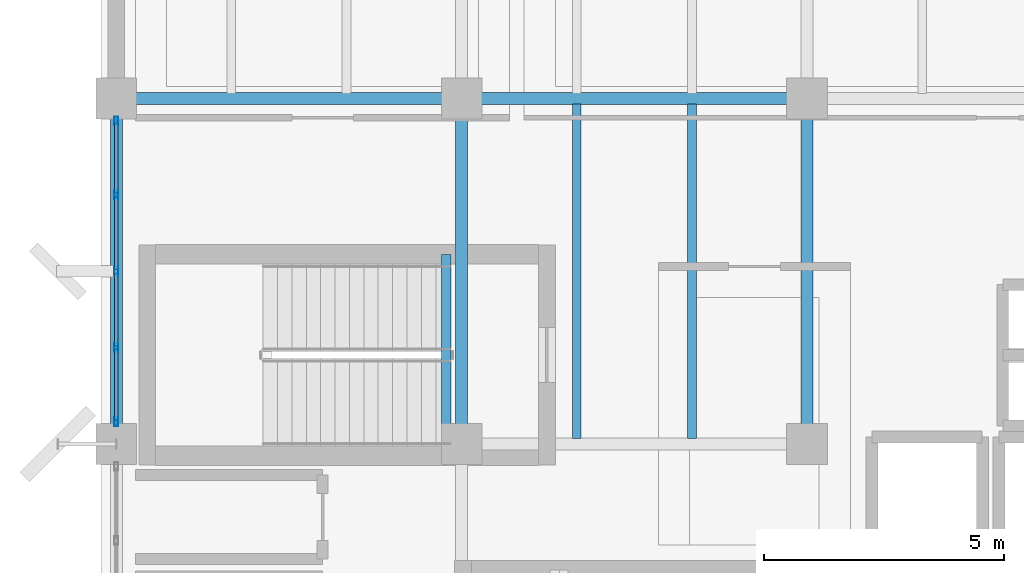
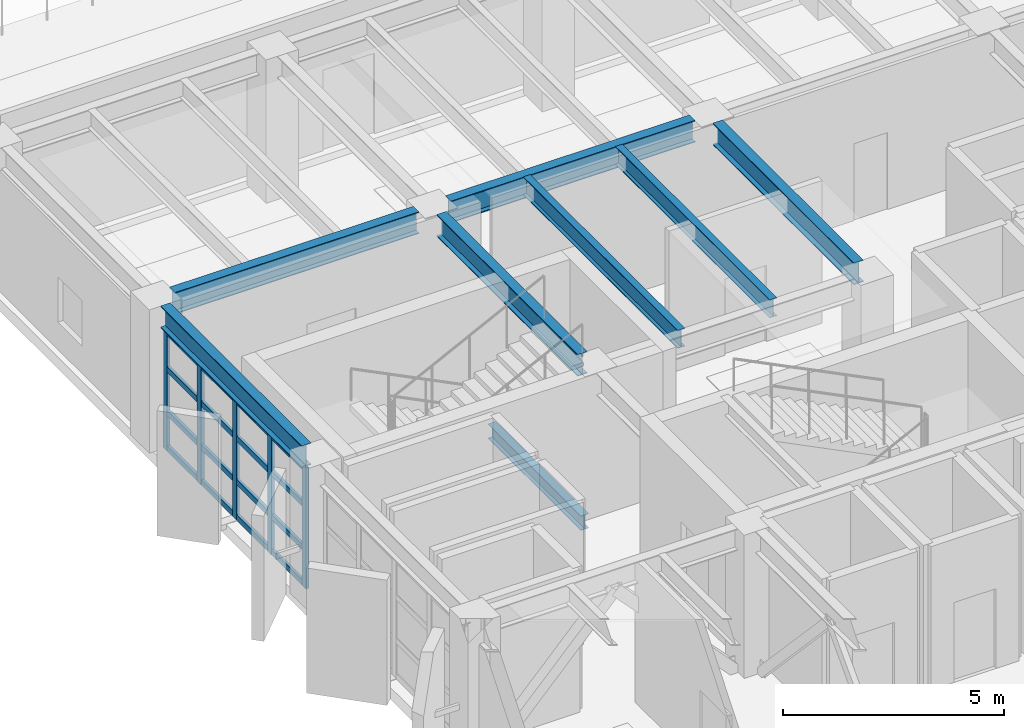
# One storey, part 10 of 59: 21 members, 8 beams, 1 element without a shape of its own.
"""IFC4 building model written with IfcOpenShell, lengths in metres."""

from ifc_helpers import new_model, si_unit, direction, frame, origin, origin_2d, place, context, subcontext, project, spatial, hollow_rectangle, i_section, extrude, material, layer, layer_set, material_profile, profile_set, type_object, element, aggregate, save


model = new_model("IFC4")

# Units and contexts
model_context = context("Model", 3, precision=1e-05, world=origin(), true_north=direction((0.0, 1.0)))
body_context = subcontext(model_context, "Body", "Model", "MODEL_VIEW")
ifc_project = project(units=[si_unit("LENGTHUNIT", "METRE"), si_unit("AREAUNIT", "SQUARE_METRE"), si_unit("VOLUMEUNIT", "CUBIC_METRE"), si_unit("PLANEANGLEUNIT", "RADIAN"), si_unit("MASSUNIT", "GRAM", prefix="KILO")], contexts=[model_context])

# Site, building, storey
site_placement = place(None, origin())
site = spatial("IfcSite", under=ifc_project, at=site_placement, CompositionType="ELEMENT")
building_placement = place(site_placement, origin())
building = spatial("IfcBuilding", under=site, at=building_placement, Name="Kandorven Conservatory and Botanical Research Centre", CompositionType="ELEMENT")
storey_placement = place(building_placement, frame((0.0, 0.0, 4.800048828125)))
storey = spatial("IfcBuildingStorey", under=building, at=storey_placement, Name="L01", CompositionType="ELEMENT", Elevation=4.800048828125)

# Beams
ifc_material_1 = material(Name="Steel S355 (IS 2062 E350)", Category="steel")
ifc_material_profile_1 = material_profile(ifc_material_1, i_section(OverallWidth=0.25, OverallDepth=0.60009765625, WebThickness=0.01171875, FlangeThickness=0.023681640625, at=origin_2d()))
ifc_profile_set_1 = profile_set([ifc_material_profile_1], Name="Steel S355 (IS 2062 E350)")
beam_type_1 = type_object("IfcBeamType", Name="Beam_FG-01", PredefinedType="USERDEFINED", material=ifc_profile_set_1)
beam_1_placement = place(storey_placement, frame((6.4150390625, 27.60009765625, 3.64990234375), z_axis=(1.0, 0.0, 0.0), x_axis=(0.0, 1.0, 0.0)))
element("IfcBeam", 1, at=beam_1_placement, inside=storey, type_object=beam_type_1, Name="Primary girder FG-01 TWR L01", ObjectType="GIRDER", PredefinedType="USERDEFINED", context=body_context, shape_type="SweptSolid", body=[
    extrude(i_section(OverallWidth=0.25, OverallDepth=0.60009765625, WebThickness=0.01171875, FlangeThickness=0.023681640625, at=origin_2d()), origin(), (0.0, 0.0, 1.0), 6.369873046875),
])
for number, where, z_axis, x_axis, name in (
    (2, (13.614990234375, 27.60009765625, 3.64990234375), (1.0, 0.0, 0.0), (0.0, 1.0, 0.0), "Primary girder FG-01 TWR L01"),
    (3, (6.0, 20.81494140625, 3.64990234375), (0.0, 1.0, 0.0), (-1.0, 0.0, 0.0), "Primary girder FG-01 TWR L01"),
    (4, (13.199951171875, 20.81494140625, 3.64990234375), (0.0, 1.0, 0.0), (-1.0, 0.0, 0.0), "Primary girder FG-01 TWR L01"),
    (5, (20.39990234375, 20.81494140625, 3.64990234375), (0.0, 1.0, 0.0), (-1.0, 0.0, 0.0), "Primary girder FG-01 TWR L01"),
):
    element("IfcBeam", number, at=place(storey_placement, frame(where, z_axis=z_axis, x_axis=x_axis)), inside=storey, type_object=beam_type_1, Name=name, ObjectType="GIRDER", PredefinedType="USERDEFINED", context=body_context, shape_type="SweptSolid", body=[
        extrude(i_section(OverallWidth=0.25, OverallDepth=0.60009765625, WebThickness=0.01171875, FlangeThickness=0.023681640625, at=origin_2d()), origin(), (0.0, 0.0, 1.0), 6.3701171875),
    ])
ifc_material_2 = material(Name="Steel S355 (IS 2062 E350)", Category="steel")
ifc_material_profile_2 = material_profile(ifc_material_2, i_section(OverallWidth=0.199951171875, OverallDepth=0.39990234375, WebThickness=0.008544921875, FlangeThickness=0.012939453125, at=origin_2d()))
ifc_profile_set_2 = profile_set([ifc_material_profile_2], Name="Steel S355 (IS 2062 E350)")
beam_type_2 = type_object("IfcBeamType", Name="Beam_FG-03", PredefinedType="USERDEFINED", material=ifc_profile_set_2)
beam_2_placement = place(storey_placement, frame((12.8798828125, 24.35009765625, -0.199951171875), z_axis=(0.0, -1.0, 0.0), x_axis=(1.0, 0.0, 0.0)))
element("IfcBeam", 6, at=beam_2_placement, inside=storey, type_object=beam_type_2, Name="Stair well bottom trimmer girder FG-03 ST-T2 L01", ObjectType="GIRDER", PredefinedType="USERDEFINED", context=body_context, shape_type="SweptSolid", body=[
    extrude(i_section(OverallWidth=0.199951171875, OverallDepth=0.39990234375, WebThickness=0.008544921875, FlangeThickness=0.012939453125, at=origin_2d()), origin(), (0.0, 0.0, 1.0), 4.190185546875),
])
ifc_material_3 = material(Name="Steel S355 (IS 2062 E350)", Category="steel")
ifc_material_profile_3 = material_profile(ifc_material_3, i_section(OverallWidth=0.179931640625, OverallDepth=0.5, WebThickness=0.01025390625, FlangeThickness=0.01708984375, at=origin_2d()))
ifc_profile_set_3 = profile_set([ifc_material_profile_3], Name="Steel S355 (IS 2062 E350)")
beam_type_3 = type_object("IfcBeamType", Name="Beam_SB-03", PredefinedType="BEAM", material=ifc_profile_set_3)
for number, where, z_axis, x_axis, name in (
    (7, (15.60009765625, 20.510009765625, 3.699951171875), (0.0, 1.0, 0.0), (-1.0, 0.0, 0.0), "Composite secondary beam SB-03 TWR L01"),
    (8, (18.0, 20.510009765625, 3.699951171875), (0.0, 1.0, 0.0), (-1.0, 0.0, 0.0), "Composite secondary beam SB-03 TWR L01"),
):
    element("IfcBeam", number, at=place(storey_placement, frame(where, z_axis=z_axis, x_axis=x_axis)), inside=storey, type_object=beam_type_3, Name=name, PredefinedType="BEAM", context=body_context, shape_type="SweptSolid", body=[
        extrude(i_section(OverallWidth=0.179931640625, OverallDepth=0.5, WebThickness=0.01025390625, FlangeThickness=0.01708984375, at=origin_2d()), origin(), (0.0, 0.0, 1.0), 6.97998046875),
    ])

# Curtain wall, members
ifc_material_4 = material(Name="Bronze anodised thermally broken aluminium", Category="aluminium")
ifc_layer = layer(ifc_material_4, 0.179931640625)
ifc_layer_set = layer_set([ifc_layer], Name="Bronze anodised thermally broken aluminium")
curtain_wall_type = type_object("IfcCurtainWallType", Name="CW_Unitised", PredefinedType="USERDEFINED", material=ifc_layer_set)
curtain_wall_placement = place(storey_placement, origin())
curtain_wall = element("IfcCurtainWall", 9, at=curtain_wall_placement, inside=storey, type_object=curtain_wall_type, Name="Tower laboratory curtain wall CW-TWR-W-L01-3", ObjectType="UNITISED GLAZING", PredefinedType="USERDEFINED")
ifc_material_5 = material(Name="Bronze anodised thermally broken aluminium", Category="aluminium")
ifc_material_profile_4 = material_profile(ifc_material_5, hollow_rectangle(XDim=0.080078125, YDim=0.179931640625, WallThickness=0.006103515625, at=origin_2d()))
ifc_profile_set_4 = profile_set([ifc_material_profile_4], Name="Bronze anodised thermally broken aluminium")
member_type_1 = type_object("IfcMemberType", Name="CW_Mullion", PredefinedType="MULLION", material=ifc_profile_set_4)
member_1_placement = place(storey_placement, frame((6.0, 20.864990234375, 0.0), z_axis=(0.0, 0.0, 1.0), x_axis=(-1.0, 0.0, 0.0)))
member_1 = element("IfcMember", 10, at=member_1_placement, type_object=member_type_1, Name="CW-01 mullion 1", PredefinedType="MULLION", context=body_context, shape_type="SweptSolid", body=[
    extrude(hollow_rectangle(XDim=0.080078125, YDim=0.179931640625, WallThickness=0.006103515625, at=origin_2d()), origin(), (0.0, 0.0, 1.0), 3.329833984375),
])
member_2_placement = place(storey_placement, frame((6.0, 22.41259765625, 0.0), z_axis=(0.0, 0.0, 1.0), x_axis=(-1.0, 0.0, 0.0)))
member_2 = element("IfcMember", 11, at=member_2_placement, type_object=member_type_1, Name="CW-01 mullion 2", PredefinedType="MULLION", context=body_context, shape_type="SweptSolid", body=[
    extrude(hollow_rectangle(XDim=0.080078125, YDim=0.179931640625, WallThickness=0.006103515625, at=origin_2d()), origin(), (0.0, 0.0, 1.0), 3.329833984375),
])
member_3_placement = place(storey_placement, frame((6.0, 24.0, 0.0), z_axis=(0.0, 0.0, 1.0), x_axis=(-1.0, 0.0, 0.0)))
member_3 = element("IfcMember", 12, at=member_3_placement, type_object=member_type_1, Name="CW-01 mullion 3", PredefinedType="MULLION", context=body_context, shape_type="SweptSolid", body=[
    extrude(hollow_rectangle(XDim=0.080078125, YDim=0.179931640625, WallThickness=0.006103515625, at=origin_2d()), origin(), (0.0, 0.0, 1.0), 3.329833984375),
])
member_4_placement = place(storey_placement, frame((6.0, 25.58740234375, 0.0), z_axis=(0.0, 0.0, 1.0), x_axis=(-1.0, 0.0, 0.0)))
member_4 = element("IfcMember", 13, at=member_4_placement, type_object=member_type_1, Name="CW-01 mullion 4", PredefinedType="MULLION", context=body_context, shape_type="SweptSolid", body=[
    extrude(hollow_rectangle(XDim=0.080078125, YDim=0.179931640625, WallThickness=0.006103515625, at=origin_2d()), origin(), (0.0, 0.0, 1.0), 3.329833984375),
])
member_5_placement = place(storey_placement, frame((6.0, 27.135009765625, 0.0), z_axis=(0.0, 0.0, 1.0), x_axis=(-1.0, 0.0, 0.0)))
member_5 = element("IfcMember", 14, at=member_5_placement, type_object=member_type_1, Name="CW-01 mullion 5", PredefinedType="MULLION", context=body_context, shape_type="SweptSolid", body=[
    extrude(hollow_rectangle(XDim=0.080078125, YDim=0.179931640625, WallThickness=0.006103515625, at=origin_2d()), origin(), (0.0, 0.0, 1.0), 3.329833984375),
])
ifc_material_6 = material(Name="Bronze anodised thermally broken aluminium", Category="aluminium")
ifc_material_profile_5 = material_profile(ifc_material_6, hollow_rectangle(XDim=0.074951171875, YDim=0.14990234375, WallThickness=0.006103515625, at=origin_2d()))
ifc_profile_set_5 = profile_set([ifc_material_profile_5], Name="Bronze anodised thermally broken aluminium")
member_type_2 = type_object("IfcMemberType", Name="CW_Transom", PredefinedType="USERDEFINED", material=ifc_profile_set_5)
member_6_placement = place(storey_placement, frame((6.0, 20.905029296875, 0.074951171875), z_axis=(0.0, 1.0, 0.0), x_axis=(-1.0, 0.0, 0.0)))
member_6 = element("IfcMember", 15, at=member_6_placement, type_object=member_type_2, Name="CW-01 transom 1.1", ObjectType="TRANSOM", PredefinedType="USERDEFINED", context=body_context, shape_type="SweptSolid", body=[
    extrude(hollow_rectangle(XDim=0.074951171875, YDim=0.14990234375, WallThickness=0.006103515625, at=origin_2d()), origin(), (0.0, 0.0, 1.0), 1.467529296875),
])
member_7_placement = place(storey_placement, frame((6.0, 20.905029296875, 1.050048828125), z_axis=(0.0, 1.0, 0.0), x_axis=(-1.0, 0.0, 0.0)))
member_7 = element("IfcMember", 16, at=member_7_placement, type_object=member_type_2, Name="CW-01 transom 1.2", ObjectType="TRANSOM", PredefinedType="USERDEFINED", context=body_context, shape_type="SweptSolid", body=[
    extrude(hollow_rectangle(XDim=0.074951171875, YDim=0.14990234375, WallThickness=0.006103515625, at=origin_2d()), origin(), (0.0, 0.0, 1.0), 1.467529296875),
])
member_8_placement = place(storey_placement, frame((6.0, 20.905029296875, 2.25), z_axis=(0.0, 1.0, 0.0), x_axis=(-1.0, 0.0, 0.0)))
member_8 = element("IfcMember", 17, at=member_8_placement, type_object=member_type_2, Name="CW-01 transom 1.3", ObjectType="TRANSOM", PredefinedType="USERDEFINED", context=body_context, shape_type="SweptSolid", body=[
    extrude(hollow_rectangle(XDim=0.074951171875, YDim=0.14990234375, WallThickness=0.006103515625, at=origin_2d()), origin(), (0.0, 0.0, 1.0), 1.467529296875),
])
member_9_placement = place(storey_placement, frame((6.0, 20.905029296875, 3.2548828125), z_axis=(0.0, 1.0, 0.0), x_axis=(-1.0, 0.0, 0.0)))
member_9 = element("IfcMember", 18, at=member_9_placement, type_object=member_type_2, Name="CW-01 transom 1.4", ObjectType="TRANSOM", PredefinedType="USERDEFINED", context=body_context, shape_type="SweptSolid", body=[
    extrude(hollow_rectangle(XDim=0.074951171875, YDim=0.14990234375, WallThickness=0.006103515625, at=origin_2d()), origin(), (0.0, 0.0, 1.0), 1.467529296875),
])
member_10_placement = place(storey_placement, frame((6.0, 22.452392578125, 0.074951171875), z_axis=(0.0, 1.0, 0.0), x_axis=(-1.0, 0.0, 0.0)))
member_10 = element("IfcMember", 19, at=member_10_placement, type_object=member_type_2, Name="CW-01 transom 2.1", ObjectType="TRANSOM", PredefinedType="USERDEFINED", context=body_context, shape_type="SweptSolid", body=[
    extrude(hollow_rectangle(XDim=0.074951171875, YDim=0.14990234375, WallThickness=0.006103515625, at=origin_2d()), origin(), (0.0, 0.0, 1.0), 1.507568359375),
])
member_11_placement = place(storey_placement, frame((6.0, 22.452392578125, 1.050048828125), z_axis=(0.0, 1.0, 0.0), x_axis=(-1.0, 0.0, 0.0)))
member_11 = element("IfcMember", 20, at=member_11_placement, type_object=member_type_2, Name="CW-01 transom 2.2", ObjectType="TRANSOM", PredefinedType="USERDEFINED", context=body_context, shape_type="SweptSolid", body=[
    extrude(hollow_rectangle(XDim=0.074951171875, YDim=0.14990234375, WallThickness=0.006103515625, at=origin_2d()), origin(), (0.0, 0.0, 1.0), 1.507568359375),
])
member_12_placement = place(storey_placement, frame((6.0, 22.452392578125, 2.25), z_axis=(0.0, 1.0, 0.0), x_axis=(-1.0, 0.0, 0.0)))
member_12 = element("IfcMember", 21, at=member_12_placement, type_object=member_type_2, Name="CW-01 transom 2.3", ObjectType="TRANSOM", PredefinedType="USERDEFINED", context=body_context, shape_type="SweptSolid", body=[
    extrude(hollow_rectangle(XDim=0.074951171875, YDim=0.14990234375, WallThickness=0.006103515625, at=origin_2d()), origin(), (0.0, 0.0, 1.0), 1.507568359375),
])
member_13_placement = place(storey_placement, frame((6.0, 22.452392578125, 3.2548828125), z_axis=(0.0, 1.0, 0.0), x_axis=(-1.0, 0.0, 0.0)))
member_13 = element("IfcMember", 22, at=member_13_placement, type_object=member_type_2, Name="CW-01 transom 2.4", ObjectType="TRANSOM", PredefinedType="USERDEFINED", context=body_context, shape_type="SweptSolid", body=[
    extrude(hollow_rectangle(XDim=0.074951171875, YDim=0.14990234375, WallThickness=0.006103515625, at=origin_2d()), origin(), (0.0, 0.0, 1.0), 1.507568359375),
])
member_14_placement = place(storey_placement, frame((6.0, 24.0400390625, 0.074951171875), z_axis=(0.0, 1.0, 0.0), x_axis=(-1.0, 0.0, 0.0)))
member_14 = element("IfcMember", 23, at=member_14_placement, type_object=member_type_2, Name="CW-01 transom 3.1", ObjectType="TRANSOM", PredefinedType="USERDEFINED", context=body_context, shape_type="SweptSolid", body=[
    extrude(hollow_rectangle(XDim=0.074951171875, YDim=0.14990234375, WallThickness=0.006103515625, at=origin_2d()), origin(), (0.0, 0.0, 1.0), 1.507568359375),
])
member_15_placement = place(storey_placement, frame((6.0, 24.0400390625, 1.050048828125), z_axis=(0.0, 1.0, 0.0), x_axis=(-1.0, 0.0, 0.0)))
member_15 = element("IfcMember", 24, at=member_15_placement, type_object=member_type_2, Name="CW-01 transom 3.2", ObjectType="TRANSOM", PredefinedType="USERDEFINED", context=body_context, shape_type="SweptSolid", body=[
    extrude(hollow_rectangle(XDim=0.074951171875, YDim=0.14990234375, WallThickness=0.006103515625, at=origin_2d()), origin(), (0.0, 0.0, 1.0), 1.507568359375),
])
member_16_placement = place(storey_placement, frame((6.0, 24.0400390625, 2.25), z_axis=(0.0, 1.0, 0.0), x_axis=(-1.0, 0.0, 0.0)))
member_16 = element("IfcMember", 25, at=member_16_placement, type_object=member_type_2, Name="CW-01 transom 3.3", ObjectType="TRANSOM", PredefinedType="USERDEFINED", context=body_context, shape_type="SweptSolid", body=[
    extrude(hollow_rectangle(XDim=0.074951171875, YDim=0.14990234375, WallThickness=0.006103515625, at=origin_2d()), origin(), (0.0, 0.0, 1.0), 1.507568359375),
])
member_17_placement = place(storey_placement, frame((6.0, 24.0400390625, 3.2548828125), z_axis=(0.0, 1.0, 0.0), x_axis=(-1.0, 0.0, 0.0)))
member_17 = element("IfcMember", 26, at=member_17_placement, type_object=member_type_2, Name="CW-01 transom 3.4", ObjectType="TRANSOM", PredefinedType="USERDEFINED", context=body_context, shape_type="SweptSolid", body=[
    extrude(hollow_rectangle(XDim=0.074951171875, YDim=0.14990234375, WallThickness=0.006103515625, at=origin_2d()), origin(), (0.0, 0.0, 1.0), 1.507568359375),
])
member_18_placement = place(storey_placement, frame((6.0, 25.62744140625, 0.074951171875), z_axis=(0.0, 1.0, 0.0), x_axis=(-1.0, 0.0, 0.0)))
member_18 = element("IfcMember", 27, at=member_18_placement, type_object=member_type_2, Name="CW-01 transom 4.1", ObjectType="TRANSOM", PredefinedType="USERDEFINED", context=body_context, shape_type="SweptSolid", body=[
    extrude(hollow_rectangle(XDim=0.074951171875, YDim=0.14990234375, WallThickness=0.006103515625, at=origin_2d()), origin(), (0.0, 0.0, 1.0), 1.467529296875),
])
member_19_placement = place(storey_placement, frame((6.0, 25.62744140625, 1.050048828125), z_axis=(0.0, 1.0, 0.0), x_axis=(-1.0, 0.0, 0.0)))
member_19 = element("IfcMember", 28, at=member_19_placement, type_object=member_type_2, Name="CW-01 transom 4.2", ObjectType="TRANSOM", PredefinedType="USERDEFINED", context=body_context, shape_type="SweptSolid", body=[
    extrude(hollow_rectangle(XDim=0.074951171875, YDim=0.14990234375, WallThickness=0.006103515625, at=origin_2d()), origin(), (0.0, 0.0, 1.0), 1.467529296875),
])
member_20_placement = place(storey_placement, frame((6.0, 25.62744140625, 2.25), z_axis=(0.0, 1.0, 0.0), x_axis=(-1.0, 0.0, 0.0)))
member_20 = element("IfcMember", 29, at=member_20_placement, type_object=member_type_2, Name="CW-01 transom 4.3", ObjectType="TRANSOM", PredefinedType="USERDEFINED", context=body_context, shape_type="SweptSolid", body=[
    extrude(hollow_rectangle(XDim=0.074951171875, YDim=0.14990234375, WallThickness=0.006103515625, at=origin_2d()), origin(), (0.0, 0.0, 1.0), 1.467529296875),
])
member_21_placement = place(storey_placement, frame((6.0, 25.62744140625, 3.2548828125), z_axis=(0.0, 1.0, 0.0), x_axis=(-1.0, 0.0, 0.0)))
member_21 = element("IfcMember", 30, at=member_21_placement, type_object=member_type_2, Name="CW-01 transom 4.4", ObjectType="TRANSOM", PredefinedType="USERDEFINED", context=body_context, shape_type="SweptSolid", body=[
    extrude(hollow_rectangle(XDim=0.074951171875, YDim=0.14990234375, WallThickness=0.006103515625, at=origin_2d()), origin(), (0.0, 0.0, 1.0), 1.467529296875),
])
aggregate(curtain_wall, [member_1, member_2, member_3, member_4, member_5, member_6, member_7, member_8, member_9, member_10, member_11, member_12, member_13, member_14, member_15, member_16, member_17, member_18, member_19, member_20, member_21])

save(model, "model.ifc")
